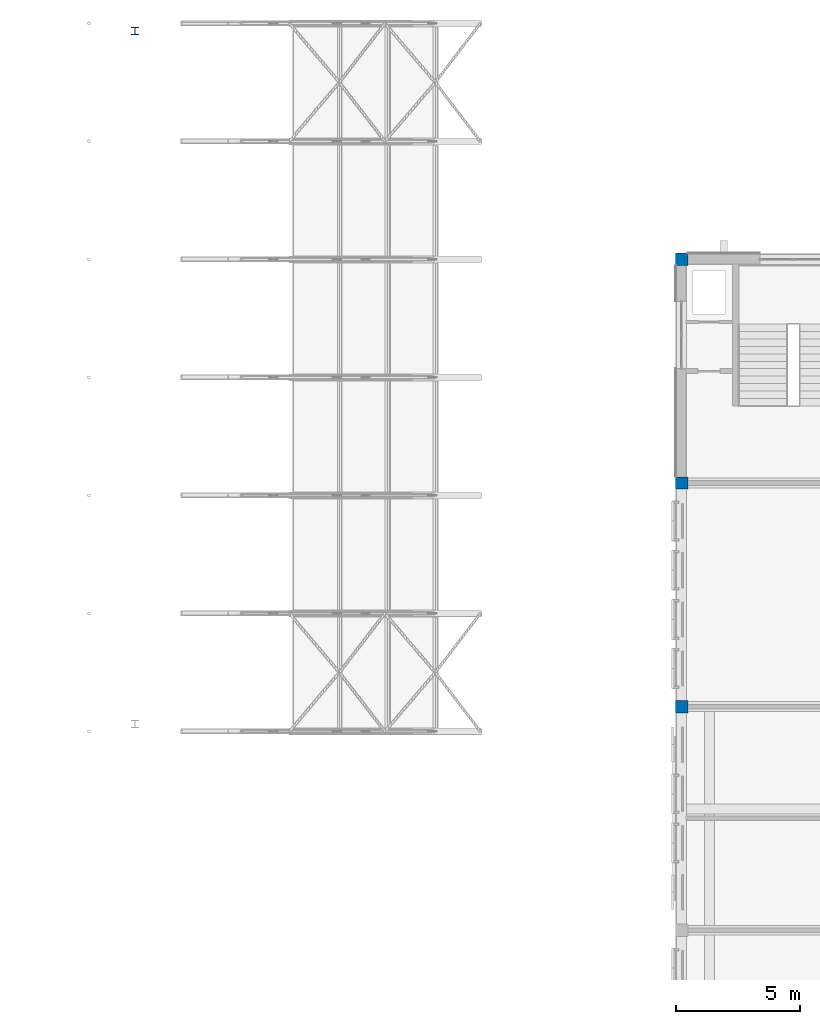
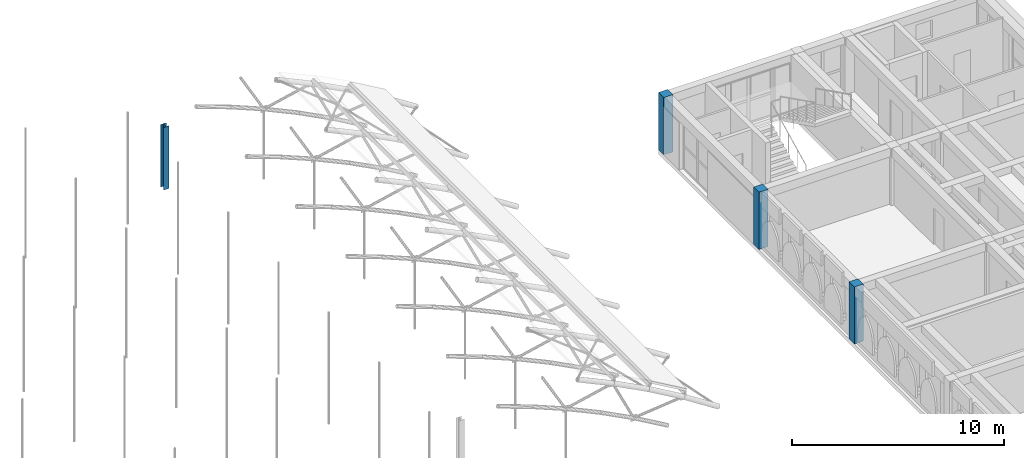
# One storey, part 3 of 50: 4 columns.
"""IFC4 building model written with IfcOpenShell, lengths in metres."""

from ifc_helpers import new_model, si_unit, direction, frame, origin, origin_2d, place, context, subcontext, project, spatial, rectangle, i_section, extrude, material, material_profile, profile_set, type_object, element, save


model = new_model("IFC4")

# Units and contexts
model_context = context("Model", 3, precision=1e-05, world=origin(), true_north=direction((0.0, 1.0)))
body_context = subcontext(model_context, "Body", "Model", "MODEL_VIEW")
ifc_project = project(units=[si_unit("LENGTHUNIT", "METRE"), si_unit("AREAUNIT", "SQUARE_METRE"), si_unit("VOLUMEUNIT", "CUBIC_METRE"), si_unit("PLANEANGLEUNIT", "RADIAN"), si_unit("MASSUNIT", "GRAM", prefix="KILO")], contexts=[model_context])

# Site, building, storey
site_placement = place(None, origin())
site = spatial("IfcSite", under=ifc_project, at=site_placement, CompositionType="ELEMENT")
building_placement = place(site_placement, origin())
building = spatial("IfcBuilding", under=site, at=building_placement, Name="Elbe Cascade School", CompositionType="ELEMENT")
storey_placement = place(building_placement, frame((0.0, 0.0, 15.300048828125)))
storey = spatial("IfcBuildingStorey", under=building, at=storey_placement, Name="L04", CompositionType="ELEMENT", Elevation=15.300048828125)

# Columns
ifc_material_1 = material(Name="Steel S355J2", Category="steel")
ifc_material_profile_1 = material_profile(ifc_material_1, i_section(OverallWidth=0.300048828125, OverallDepth=0.300048828125, WebThickness=0.010986328125, FlangeThickness=0.01904296875, FilletRadius=0.027099609375, at=origin_2d()), Name="HEB 300")
ifc_profile_set_1 = profile_set([ifc_material_profile_1], Name="Steel S355J2")
column_type_1 = type_object("IfcColumnType", Name="Hall gable post HEB 300", PredefinedType="COLUMN", material=ifc_profile_set_1)
column_placement = place(storey_placement, frame((47.0, 69.199951171875, 0.0), z_axis=(0.0, 0.0, 1.0), x_axis=(1.0, 0.0, 0.0)))
element("IfcColumn", 1, at=column_placement, inside=storey, type_object=column_type_1, Name="Gable post N47", PredefinedType="COLUMN", context=body_context, shape_type="SweptSolid", body=[
    extrude(i_section(OverallWidth=0.300048828125, OverallDepth=0.300048828125, WebThickness=0.010986328125, FlangeThickness=0.01904296875, FilletRadius=0.027099609375, at=origin_2d()), origin(), (0.0, 0.0, 1.0), 3.599853515625),
])
ifc_material_2 = material(Name="Concrete C30/37", Category="concrete")
ifc_material_profile_2 = material_profile(ifc_material_2, rectangle(XDim=0.5, YDim=0.5, at=origin_2d()), Name="RC 500x500")
ifc_profile_set_2 = profile_set([ifc_material_profile_2], Name="Concrete C30/37")
column_type_2 = type_object("IfcColumnType", Name="RC 500x500 column", PredefinedType="COLUMN", material=ifc_profile_set_2)
for number, where, z_axis, x_axis, name in (
    (2, (69.0, 42.0, 0.0), (0.0, 0.0, 1.0), (1.0, 0.0, 0.0), "RC 500x500 column C1"),
    (3, (69.0, 51.0, 0.0), (0.0, 0.0, 1.0), (1.0, 0.0, 0.0), "RC 500x500 column C1"),
    (4, (69.0, 60.0, 0.0), (0.0, 0.0, 1.0), (1.0, 0.0, 0.0), "RC 500x500 column C1"),
):
    element("IfcColumn", number, at=place(storey_placement, frame(where, z_axis=z_axis, x_axis=x_axis)), inside=storey, type_object=column_type_2, Name=name, PredefinedType="COLUMN", context=body_context, shape_type="SweptSolid", body=[
        extrude(rectangle(XDim=0.5, YDim=0.5, at=origin_2d()), origin(), (0.0, 0.0, 1.0), 3.300048828125),
    ])

save(model, "model.ifc")
